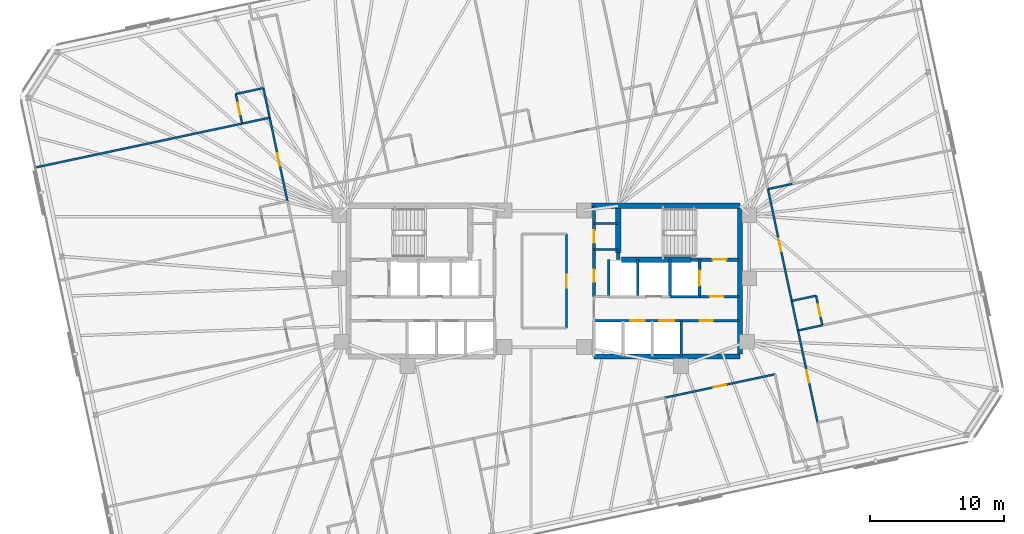
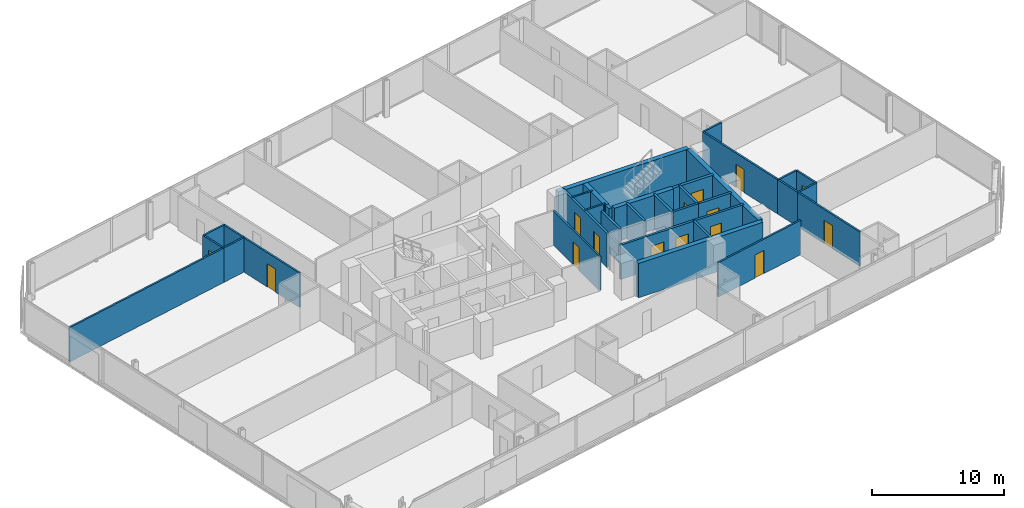
# One storey, part 16 of 19: 33 walls, 15 doors, 15 openings.
"""IFC4 building model written with IfcOpenShell, lengths in metres."""

from ifc_helpers import new_model, si_unit, direction, frame, frame_2d, origin, place, context, subcontext, project, spatial, rectangle, extrude, material, layer, layer_set, type_object, element, fill, save


model = new_model("IFC4")

# Units and contexts
model_context = context("Model", 3, precision=1e-05, world=origin(), true_north=direction((0.0, 1.0)))
body_context = subcontext(model_context, "Body", "Model", "MODEL_VIEW")
ifc_project = project(units=[si_unit("LENGTHUNIT", "METRE"), si_unit("AREAUNIT", "SQUARE_METRE"), si_unit("VOLUMEUNIT", "CUBIC_METRE"), si_unit("PLANEANGLEUNIT", "RADIAN"), si_unit("MASSUNIT", "GRAM", prefix="KILO")], contexts=[model_context])

# Site, building, storey
site_placement = place(None, origin())
site = spatial("IfcSite", under=ifc_project, at=site_placement, CompositionType="ELEMENT")
building_placement = place(site_placement, origin())
building = spatial("IfcBuilding", under=site, at=building_placement, Name="Menara Jurai Vektor", CompositionType="ELEMENT")
storey_placement = place(building_placement, frame((0.0, 0.0, 182.0)))
storey = spatial("IfcBuildingStorey", under=building, at=storey_placement, Name="L47", CompositionType="ELEMENT", Elevation=182.0)

# Wall, opening, door
ifc_material_1 = material(Name="Concrete C40/50", Category="concrete")
ifc_layer_1 = layer(ifc_material_1, 0.25)
ifc_layer_set_1 = layer_set([ifc_layer_1], Name="Concrete C40/50")
wall_type_1 = type_object("IfcWallType", Name="INT-WALL-CORE-250", PredefinedType="STANDARD", material=ifc_layer_set_1)
wall_1_placement = place(storey_placement, frame((10.89990234375, 1.60009765625, 0.0), z_axis=(0.0, 0.0, 1.0), x_axis=(1.0, 0.0, 0.0)))
wall_1 = element("IfcWall", 1, at=wall_1_placement, inside=storey, type_object=wall_type_1, Name="Interior Wall IW-250 L47", PredefinedType="STANDARD", context=body_context, shape_type="SweptSolid", body=[
    extrude(rectangle(XDim=3.60009765625, YDim=0.25, at=frame_2d((1.800048828125, 0.0))), origin(), (0.0, 0.0, 1.0), 3.175048828125),
])
opening_1_placement = place(wall_1_placement, frame((1.6201171875, 0.0, 0.0)))
opening_1 = element("IfcOpeningElement", 2, at=opening_1_placement, cuts=wall_1, Name="Opening D-L47-ST2", PredefinedType="OPENING", context=body_context, shape_type="SweptSolid", body=[
    extrude(rectangle(XDim=1.050048828125, YDim=2.14990234375, at=frame_2d((0.52490234375, 1.074951171875))), frame((0.0, 0.135009765625, 0.0), z_axis=(0.0, -1.0, 0.0), x_axis=(1.0, 0.0, 0.0)), (0.0, 0.0, 1.0), 0.27001953125),
])
ifc_material_2 = material(Name="Fire-Rated Steel Door", Category="steel")
door_type_1 = type_object("IfcDoorType", Name="DR-STAIR-1050", OperationType="NOTDEFINED", PredefinedType="DOOR", material=ifc_material_2)
door_1_placement = place(opening_1_placement, origin())
door_1 = element("IfcDoor", 3, at=door_1_placement, inside=storey, type_object=door_type_1, Name="Exit Stair ST2 Door L47", OperationType="SINGLE_SWING_LEFT", OverallHeight=2.14990234375, OverallWidth=1.050048828125, PredefinedType="DOOR", context=body_context, shape_type="SweptSolid", body=[
    extrude(rectangle(XDim=1.050048828125, YDim=2.14990234375, at=frame_2d((0.52490234375, 1.074951171875))), frame((0.0, 0.02490234375, 0.0), z_axis=(0.0, -1.0, 0.0), x_axis=(1.0, 0.0, 0.0)), (0.0, 0.0, 1.0), 0.050048828125),
])
fill(opening_1, door_1)

# Wall
wall_2_placement = place(storey_placement, frame((5.5, 1.60009765625, 0.0), z_axis=(0.0, 0.0, 1.0), x_axis=(0.0, 1.0, 0.0)))
element("IfcWall", 4, at=wall_2_placement, inside=storey, type_object=wall_type_1, Name="Interior Wall IW-250 L47", PredefinedType="STANDARD", context=body_context, shape_type="SweptSolid", body=[
    extrude(rectangle(XDim=0.5498046875, YDim=0.25, at=frame_2d((0.27490234375, 0.0))), origin(), (0.0, 0.0, 1.0), 3.175048828125),
])

# Wall, opening, door
wall_3_placement = place(storey_placement, frame((11.550048828125, -1.14990234375, 0.0), z_axis=(0.0, 0.0, 1.0), x_axis=(0.0, 1.0, 0.0)))
wall_3 = element("IfcWall", 5, at=wall_3_placement, inside=storey, type_object=wall_type_1, Name="Interior Wall IW-250 L47", PredefinedType="STANDARD", context=body_context, shape_type="SweptSolid", body=[
    extrude(rectangle(XDim=2.75, YDim=0.199951171875, at=frame_2d((1.375, 0.0))), origin(), (0.0, 0.0, 1.0), 3.175048828125),
])
opening_2_placement = place(wall_3_placement, frame((0.824951171875, 0.0, 0.0)))
opening_2 = element("IfcOpeningElement", 6, at=opening_2_placement, cuts=wall_3, Name="Opening LD-L47-FL2", PredefinedType="OPENING", context=body_context, shape_type="SweptSolid", body=[
    extrude(rectangle(XDim=1.10009765625, YDim=2.14990234375, at=frame_2d((0.550048828125, 1.074951171875))), frame((0.0, 0.10986328125, 0.0), z_axis=(0.0, -1.0, 0.0), x_axis=(1.0, 0.0, 0.0)), (0.0, 0.0, 1.0), 0.219970703125),
])
ifc_material_3 = material(Name="Stainless Steel Sliding Lift Landing Door", Category="steel")
door_type_2 = type_object("IfcDoorType", Name="DR-LIFT-FIRE-1100", OperationType="NOTDEFINED", PredefinedType="DOOR", material=ifc_material_3)
door_2_placement = place(opening_2_placement, origin())
door_2 = element("IfcDoor", 7, at=door_2_placement, inside=storey, type_object=door_type_2, Name="Lift Landing Door FL2 L47", OperationType="SLIDING_TO_RIGHT", OverallHeight=2.14990234375, OverallWidth=1.10009765625, PredefinedType="DOOR", context=body_context, shape_type="SweptSolid", body=[
    extrude(rectangle(XDim=1.10009765625, YDim=2.14990234375, at=frame_2d((0.550048828125, 1.074951171875))), frame((0.0, 0.02490234375, 0.0), z_axis=(0.0, -1.0, 0.0), x_axis=(1.0, 0.0, 0.0)), (0.0, 0.0, 1.0), 0.050048828125),
])
fill(opening_2, door_2)

# Wall
wall_4_placement = place(storey_placement, frame((9.35009765625, -1.14990234375, 0.0), z_axis=(0.0, 0.0, 1.0), x_axis=(0.0, 1.0, 0.0)))
element("IfcWall", 8, at=wall_4_placement, inside=storey, type_object=wall_type_1, Name="Interior Wall IW-250 L47", PredefinedType="STANDARD", context=body_context, shape_type="SweptSolid", body=[
    extrude(rectangle(XDim=2.75, YDim=0.199951171875, at=frame_2d((1.375, 0.0))), origin(), (0.0, 0.0, 1.0), 3.175048828125),
])

# Wall, opening, door
wall_5_placement = place(storey_placement, frame((11.550048828125, -1.14990234375, 0.0), z_axis=(0.0, 0.0, 1.0), x_axis=(1.0, 0.0, 0.0)))
wall_5 = element("IfcWall", 9, at=wall_5_placement, inside=storey, type_object=wall_type_1, Name="Interior Wall IW-250 L47", PredefinedType="STANDARD", context=body_context, shape_type="SweptSolid", body=[
    extrude(rectangle(XDim=2.949951171875, YDim=0.199951171875, at=frame_2d((1.47509765625, 0.0))), origin(), (0.0, 0.0, 1.0), 3.175048828125),
])
opening_3_placement = place(wall_5_placement, frame((0.75, 0.0, 0.0)))
opening_3 = element("IfcOpeningElement", 10, at=opening_3_placement, cuts=wall_5, Name="Opening D-L47-FFE", PredefinedType="OPENING", context=body_context, shape_type="SweptSolid", body=[
    extrude(rectangle(XDim=1.050048828125, YDim=2.179931640625, at=frame_2d((0.52490234375, 1.08984375))), frame((0.0, 0.10986328125, 0.0), z_axis=(0.0, -1.0, 0.0), x_axis=(1.0, 0.0, 0.0)), (0.0, 0.0, 1.0), 0.219970703125),
])
ifc_material_4 = material(Name="Fire-Rated Timber Door", Category="wood")
door_type_3 = type_object("IfcDoorType", Name="DR-LOBBY-1050", OperationType="NOTDEFINED", PredefinedType="DOOR", material=ifc_material_4)
door_3_placement = place(opening_3_placement, origin())
door_3 = element("IfcDoor", 11, at=door_3_placement, inside=storey, type_object=door_type_3, Name="Fire Lift Lobby Door E L47", OperationType="SINGLE_SWING_LEFT", OverallHeight=2.179931640625, OverallWidth=1.050048828125, PredefinedType="DOOR", context=body_context, shape_type="SweptSolid", body=[
    extrude(rectangle(XDim=1.050048828125, YDim=2.179931640625, at=frame_2d((0.52490234375, 1.08984375))), frame((0.0, 0.02490234375, 0.0), z_axis=(0.0, -1.0, 0.0), x_axis=(1.0, 0.0, 0.0)), (0.0, 0.0, 1.0), 0.050048828125),
])
fill(opening_3, door_3)

# Walls
wall_6_placement = place(storey_placement, frame((9.35009765625, -1.14990234375, 0.0), z_axis=(0.0, 0.0, 1.0), x_axis=(1.0, 0.0, 0.0)))
element("IfcWall", 12, at=wall_6_placement, inside=storey, type_object=wall_type_1, Name="Interior Wall IW-250 L47", PredefinedType="STANDARD", context=body_context, shape_type="SweptSolid", body=[
    extrude(rectangle(XDim=2.199951171875, YDim=0.199951171875, at=frame_2d((1.10009765625, 0.0))), origin(), (0.0, 0.0, 1.0), 3.175048828125),
])
ifc_material_5 = material(Name="Gypsum Fireboard Partition", Category="gypsum")
ifc_layer_2 = layer(ifc_material_5, 0.14990234375)
ifc_layer_set_2 = layer_set([ifc_layer_2], Name="Gypsum Fireboard Partition")
wall_type_2 = type_object("IfcWallType", Name="INT-WALL-CORR-150", PredefinedType="PARTITIONING", material=ifc_layer_set_2)
for number, where, z_axis, x_axis, name in (
    (13, (3.699951171875, 4.300048828125, 0.0), (0.0, 0.0, 1.0), (1.0, 0.0, 0.0), "Interior Wall IW-150 L47"),
    (14, (3.699951171875, 2.35009765625, 0.0), (0.0, 0.0, 1.0), (1.0, 0.0, 0.0), "Interior Wall IW-150 L47"),
):
    element("IfcWall", number, at=place(storey_placement, frame(where, z_axis=z_axis, x_axis=x_axis)), inside=storey, type_object=wall_type_2, Name=name, PredefinedType="PARTITIONING", context=body_context, shape_type="SweptSolid", body=[
        extrude(rectangle(XDim=1.800048828125, YDim=0.14990234375, at=frame_2d((0.89990234375, 0.0))), origin(), (0.0, 0.0, 1.0), 3.175048828125),
    ])

# Wall, opening, door
wall_7_placement = place(storey_placement, frame((1.650390625, -3.490234375, 0.0), z_axis=(0.0, 0.0, 1.0), x_axis=(-6.9952083e-05, 0.999999997553, 0.0)))
wall_7 = element("IfcWall", 15, at=wall_7_placement, inside=storey, type_object=wall_type_2, Name="Interior Wall IW-150 L47", PredefinedType="PARTITIONING", context=body_context, shape_type="SweptSolid", body=[
    extrude(rectangle(XDim=6.980224609375, YDim=0.14990234375, at=frame_2d((3.490234375, 0.0))), origin(), (0.0, 0.0, 1.0), 3.175048828125),
])
opening_4_placement = place(wall_7_placement, frame((3.01513671875, 0.0, 0.0)))
opening_4 = element("IfcOpeningElement", 16, at=opening_4_placement, cuts=wall_7, Name="Opening D47-06", PredefinedType="OPENING", context=body_context, shape_type="SweptSolid", body=[
    extrude(rectangle(XDim=0.949951171875, YDim=2.14990234375, at=frame_2d((0.47509765625, 1.074951171875))), frame((0.0, 0.0849609375, 0.0), z_axis=(0.0, -1.0, 0.0), x_axis=(1.0, 0.0, 0.0)), (0.0, 0.0, 1.0), 0.169921875),
])
ifc_material_6 = material(Name="Solid Core Timber Fire Door", Category="wood")
door_type_4 = type_object("IfcDoorType", Name="DR-ENTRY-950", OperationType="NOTDEFINED", PredefinedType="DOOR", material=ifc_material_6)
door_4_placement = place(opening_4_placement, origin())
door_4 = element("IfcDoor", 17, at=door_4_placement, inside=storey, type_object=door_type_4, Name="Interior Door D47-06", OperationType="SINGLE_SWING_LEFT", OverallHeight=2.14990234375, OverallWidth=0.949951171875, PredefinedType="DOOR", context=body_context, shape_type="SweptSolid", body=[
    extrude(rectangle(XDim=0.949951171875, YDim=2.14990234375, at=frame_2d((0.47509765625, 1.074951171875))), frame((0.0, 0.02490234375, 0.0), z_axis=(0.0, -1.0, 0.0), x_axis=(1.0, 0.0, 0.0)), (0.0, 0.0, 1.0), 0.050048828125),
])
fill(opening_4, door_4)

wall_8_placement = place(storey_placement, frame((8.963623046875, -8.66796875, 0.0), z_axis=(0.0, 0.0, 1.0), x_axis=(0.978149300771, 0.20790369261, 0.0)))
wall_8 = element("IfcWall", 18, at=wall_8_placement, inside=storey, type_object=wall_type_2, Name="Interior Wall IW-150 L47", PredefinedType="PARTITIONING", context=body_context, shape_type="SweptSolid", body=[
    extrude(rectangle(XDim=8.382080078125, YDim=0.14990234375, at=frame_2d((4.19091796875, 0.0))), origin(), (0.0, 0.0, 1.0), 3.175048828125),
])
opening_5_placement = place(wall_8_placement, frame((3.73095703125, 0.0, 0.0)))
opening_5 = element("IfcOpeningElement", 19, at=opening_5_placement, cuts=wall_8, Name="Opening D47-17", PredefinedType="OPENING", context=body_context, shape_type="SweptSolid", body=[
    extrude(rectangle(XDim=0.919921875, YDim=2.14990234375, at=frame_2d((0.4599609375, 1.074951171875))), frame((0.0, 0.0849609375, 0.0), z_axis=(0.0, -1.0, 0.0), x_axis=(1.0, 0.0, 0.0)), (0.0, 0.0, 1.0), 0.169921875),
])
door_5_placement = place(opening_5_placement, origin())
door_5 = element("IfcDoor", 20, at=door_5_placement, inside=storey, type_object=door_type_4, Name="Interior Door D47-17", OperationType="SINGLE_SWING_RIGHT", OverallHeight=2.14990234375, OverallWidth=0.919921875, PredefinedType="DOOR", context=body_context, shape_type="SweptSolid", body=[
    extrude(rectangle(XDim=0.919921875, YDim=2.14990234375, at=frame_2d((0.4599609375, 1.074951171875))), frame((0.0, 0.02490234375, 0.0), z_axis=(0.0, -1.0, 0.0), x_axis=(1.0, 0.0, 0.0)), (0.0, 0.0, 1.0), 0.050048828125),
])
fill(opening_5, door_5)

wall_9_placement = place(storey_placement, frame((-19.10107421875, 5.9462890625, 0.0), z_axis=(0.0, 0.0, 1.0), x_axis=(-0.207916691923, 0.978146537703, 0.0)))
wall_9 = element("IfcWall", 21, at=wall_9_placement, inside=storey, type_object=wall_type_2, Name="Interior Wall IW-150 L47", PredefinedType="PARTITIONING", context=body_context, shape_type="SweptSolid", body=[
    extrude(rectangle(XDim=6.35009765625, YDim=0.14990234375, at=frame_2d((3.175048828125, 0.0))), origin(), (0.0, 0.0, 1.0), 3.175048828125),
])
opening_6_placement = place(wall_9_placement, frame((2.699951171875, 0.0, 0.0)))
opening_6 = element("IfcOpeningElement", 22, at=opening_6_placement, cuts=wall_9, Name="Opening D47-25", PredefinedType="OPENING", context=body_context, shape_type="SweptSolid", body=[
    extrude(rectangle(XDim=0.949951171875, YDim=2.14990234375, at=frame_2d((0.47509765625, 1.074951171875))), frame((0.0, 0.0849609375, 0.0), z_axis=(0.0, -1.0, 0.0), x_axis=(1.0, 0.0, 0.0)), (0.0, 0.0, 1.0), 0.169921875),
])
door_6_placement = place(opening_6_placement, origin())
door_6 = element("IfcDoor", 23, at=door_6_placement, inside=storey, type_object=door_type_4, Name="Interior Door D47-25", OperationType="SINGLE_SWING_RIGHT", OverallHeight=2.14990234375, OverallWidth=0.949951171875, PredefinedType="DOOR", context=body_context, shape_type="SweptSolid", body=[
    extrude(rectangle(XDim=0.949951171875, YDim=2.14990234375, at=frame_2d((0.47509765625, 1.074951171875))), frame((0.0, 0.02490234375, 0.0), z_axis=(0.0, -1.0, 0.0), x_axis=(1.0, 0.0, 0.0)), (0.0, 0.0, 1.0), 0.050048828125),
])
fill(opening_6, door_6)

# Wall
wall_10_placement = place(storey_placement, frame((-20.42138671875, 12.15771484375, 0.0), z_axis=(0.0, 0.0, 1.0), x_axis=(-0.207913264065, 0.978147266328, 0.0)))
element("IfcWall", 24, at=wall_10_placement, inside=storey, type_object=wall_type_2, Name="Interior Wall IW-150 L47", PredefinedType="PARTITIONING", context=body_context, shape_type="SweptSolid", body=[
    extrude(rectangle(XDim=2.249755859375, YDim=0.14990234375, at=frame_2d((1.125, 0.0))), origin(), (0.0, 0.0, 1.0), 3.175048828125),
])

# Wall, opening, door
wall_11_placement = place(storey_placement, frame((20.328125, -10.515380859375, 0.0), z_axis=(0.0, 0.0, 1.0), x_axis=(-0.207906726269, 0.978148655968, 0.0)))
wall_11 = element("IfcWall", 25, at=wall_11_placement, inside=storey, type_object=wall_type_2, Name="Interior Wall IW-150 L47", PredefinedType="PARTITIONING", context=body_context, shape_type="SweptSolid", body=[
    extrude(rectangle(XDim=7.0, YDim=0.14990234375, at=frame_2d((3.5, 0.0))), origin(), (0.0, 0.0, 1.0), 3.175048828125),
])
opening_7_placement = place(wall_11_placement, frame((3.02490234375, 0.0, 0.0)))
opening_7 = element("IfcOpeningElement", 26, at=opening_7_placement, cuts=wall_11, Name="Opening D47-29", PredefinedType="OPENING", context=body_context, shape_type="SweptSolid", body=[
    extrude(rectangle(XDim=0.949951171875, YDim=2.14990234375, at=frame_2d((0.47509765625, 1.074951171875))), frame((0.0, 0.0849609375, 0.0), z_axis=(0.0, -1.0, 0.0), x_axis=(1.0, 0.0, 0.0)), (0.0, 0.0, 1.0), 0.169921875),
])
door_7_placement = place(opening_7_placement, origin())
door_7 = element("IfcDoor", 27, at=door_7_placement, inside=storey, type_object=door_type_4, Name="Interior Door D47-29", OperationType="SINGLE_SWING_RIGHT", OverallHeight=2.14990234375, OverallWidth=0.949951171875, PredefinedType="DOOR", context=body_context, shape_type="SweptSolid", body=[
    extrude(rectangle(XDim=0.949951171875, YDim=2.14990234375, at=frame_2d((0.47509765625, 1.074951171875))), frame((0.0, 0.02490234375, 0.0), z_axis=(0.0, -1.0, 0.0), x_axis=(1.0, 0.0, 0.0)), (0.0, 0.0, 1.0), 0.050048828125),
])
fill(opening_7, door_7)

wall_12_placement = place(storey_placement, frame((18.40478515625, -1.4677734375, 0.0), z_axis=(0.0, 0.0, 1.0), x_axis=(-0.207888984761, 0.97815242678, 0.0)))
wall_12 = element("IfcWall", 28, at=wall_12_placement, inside=storey, type_object=wall_type_2, Name="Interior Wall IW-150 L47", PredefinedType="PARTITIONING", context=body_context, shape_type="SweptSolid", body=[
    extrude(rectangle(XDim=8.500244140625, YDim=0.14990234375, at=frame_2d((4.25, 0.0))), origin(), (0.0, 0.0, 1.0), 3.175048828125),
])
opening_8_placement = place(wall_12_placement, frame((3.77490234375, 0.0, 0.0)))
opening_8 = element("IfcOpeningElement", 29, at=opening_8_placement, cuts=wall_12, Name="Opening D47-31", PredefinedType="OPENING", context=body_context, shape_type="SweptSolid", body=[
    extrude(rectangle(XDim=0.949951171875, YDim=2.14990234375, at=frame_2d((0.47509765625, 1.074951171875))), frame((0.0, 0.0849609375, 0.0), z_axis=(0.0, -1.0, 0.0), x_axis=(1.0, 0.0, 0.0)), (0.0, 0.0, 1.0), 0.169921875),
])
door_8_placement = place(opening_8_placement, origin())
door_8 = element("IfcDoor", 30, at=door_8_placement, inside=storey, type_object=door_type_4, Name="Interior Door D47-31", OperationType="SINGLE_SWING_RIGHT", OverallHeight=2.14990234375, OverallWidth=0.949951171875, PredefinedType="DOOR", context=body_context, shape_type="SweptSolid", body=[
    extrude(rectangle(XDim=0.949951171875, YDim=2.14990234375, at=frame_2d((0.47509765625, 1.074951171875))), frame((0.0, 0.02490234375, 0.0), z_axis=(0.0, -1.0, 0.0), x_axis=(1.0, 0.0, 0.0)), (0.0, 0.0, 1.0), 0.050048828125),
])
fill(opening_8, door_8)

# Walls
wall_13_placement = place(storey_placement, frame((18.872802734375, -3.66845703125, 0.0), z_axis=(0.0, 0.0, 1.0), x_axis=(-0.208017083936, 0.9781251928, 0.0)))
element("IfcWall", 31, at=wall_13_placement, inside=storey, type_object=wall_type_2, Name="Interior Wall IW-150 L47", PredefinedType="PARTITIONING", context=body_context, shape_type="SweptSolid", body=[
    extrude(rectangle(XDim=2.25, YDim=0.14990234375, at=frame_2d((1.125, 0.0))), origin(), (0.0, 0.0, 1.0), 3.175048828125),
])
wall_14_placement = place(storey_placement, frame((-37.85009765625, 8.453125, 0.0), z_axis=(0.0, 0.0, 1.0), x_axis=(0.978149296727, 0.207903711638, 0.0)))
element("IfcWall", 32, at=wall_14_placement, inside=storey, type_object=wall_type_2, Name="Interior Wall IW-150 L47", PredefinedType="PARTITIONING", context=body_context, shape_type="SweptSolid", body=[
    extrude(rectangle(XDim=15.718017578125, YDim=0.14990234375, at=frame_2d((7.85888671875, 0.0))), origin(), (0.0, 0.0, 1.0), 3.175048828125),
])
wall_15_placement = place(storey_placement, frame((-22.4755859375, 11.720947265625, 0.0), z_axis=(0.0, 0.0, 1.0), x_axis=(0.978134617382, 0.207972763311, 0.0)))
element("IfcWall", 33, at=wall_15_placement, inside=storey, type_object=wall_type_2, Name="Interior Wall IW-150 L47", PredefinedType="PARTITIONING", context=body_context, shape_type="SweptSolid", body=[
    extrude(rectangle(XDim=2.10009765625, YDim=0.14990234375, at=frame_2d((1.050048828125, 0.0))), origin(), (0.0, 0.0, 1.0), 3.175048828125),
])

# Wall, opening, door
wall_16_placement = place(storey_placement, frame((-22.4755859375, 11.720947265625, 0.0), z_axis=(0.0, 0.0, 1.0), x_axis=(-0.207891197838, 0.978151956427, 0.0)))
wall_16 = element("IfcWall", 34, at=wall_16_placement, inside=storey, type_object=wall_type_2, Name="Interior Wall IW-150 L47", PredefinedType="PARTITIONING", context=body_context, shape_type="SweptSolid", body=[
    extrude(rectangle(XDim=2.25, YDim=0.14990234375, at=frame_2d((1.125, 0.0))), origin(), (0.0, 0.0, 1.0), 3.175048828125),
])
opening_9_placement = place(wall_16_placement, frame((0.68505859375, 0.0, 0.0)))
opening_9 = element("IfcOpeningElement", 35, at=opening_9_placement, cuts=wall_16, Name="Opening D47-28", PredefinedType="OPENING", context=body_context, shape_type="SweptSolid", body=[
    extrude(rectangle(XDim=0.8798828125, YDim=2.14990234375, at=frame_2d((0.43994140625, 1.074951171875))), frame((0.0, 0.0849609375, 0.0), z_axis=(0.0, -1.0, 0.0), x_axis=(1.0, 0.0, 0.0)), (0.0, 0.0, 1.0), 0.169921875),
])
ifc_material_7 = material(Name="Moisture-Resistant Timber Door", Category="wood")
door_type_5 = type_object("IfcDoorType", Name="DR-BATH-880", OperationType="NOTDEFINED", PredefinedType="DOOR", material=ifc_material_7)
door_9_placement = place(opening_9_placement, origin())
door_9 = element("IfcDoor", 36, at=door_9_placement, inside=storey, type_object=door_type_5, Name="Interior Door D47-28", OperationType="SINGLE_SWING_LEFT", OverallHeight=2.14990234375, OverallWidth=0.8798828125, PredefinedType="DOOR", context=body_context, shape_type="SweptSolid", body=[
    extrude(rectangle(XDim=0.8798828125, YDim=2.14990234375, at=frame_2d((0.43994140625, 1.074951171875))), frame((0.0, 0.02490234375, 0.0), z_axis=(0.0, -1.0, 0.0), x_axis=(1.0, 0.0, 0.0)), (0.0, 0.0, 1.0), 0.050048828125),
])
fill(opening_9, door_9)

# Walls
wall_17_placement = place(storey_placement, frame((-22.943359375, 13.921875, 0.0), z_axis=(0.0, 0.0, 1.0), x_axis=(0.97815826, 0.207861536591, 0.0)))
element("IfcWall", 37, at=wall_17_placement, inside=storey, type_object=wall_type_2, Name="Interior Wall IW-150 L47", PredefinedType="PARTITIONING", context=body_context, shape_type="SweptSolid", body=[
    extrude(rectangle(XDim=2.10009765625, YDim=0.14990234375, at=frame_2d((1.050048828125, 0.0))), origin(), (0.0, 0.0, 1.0), 3.175048828125),
])
wall_18_placement = place(storey_placement, frame((18.872802734375, -3.66845703125, 0.0), z_axis=(0.0, 0.0, 1.0), x_axis=(0.978160192495, 0.207852442415, 0.0)))
element("IfcWall", 38, at=wall_18_placement, inside=storey, type_object=wall_type_2, Name="Interior Wall IW-150 L47", PredefinedType="PARTITIONING", context=body_context, shape_type="SweptSolid", body=[
    extrude(rectangle(XDim=1.849853515625, YDim=0.14990234375, at=frame_2d((0.9248046875, 0.0))), origin(), (0.0, 0.0, 1.0), 3.175048828125),
])
wall_19_placement = place(storey_placement, frame((18.40478515625, -1.4677734375, 0.0), z_axis=(0.0, 0.0, 1.0), x_axis=(0.978139061018, 0.207951862966, 0.0)))
element("IfcWall", 39, at=wall_19_placement, inside=storey, type_object=wall_type_2, Name="Interior Wall IW-150 L47", PredefinedType="PARTITIONING", context=body_context, shape_type="SweptSolid", body=[
    extrude(rectangle(XDim=1.850341796875, YDim=0.14990234375, at=frame_2d((0.92529296875, 0.0))), origin(), (0.0, 0.0, 1.0), 3.175048828125),
])

# Wall, opening, door
wall_20_placement = place(storey_placement, frame((20.682373046875, -3.283935546875, 0.0), z_axis=(0.0, 0.0, 1.0), x_axis=(-0.207891197838, 0.978151956427, 0.0)))
wall_20 = element("IfcWall", 40, at=wall_20_placement, inside=storey, type_object=wall_type_2, Name="Interior Wall IW-150 L47", PredefinedType="PARTITIONING", context=body_context, shape_type="SweptSolid", body=[
    extrude(rectangle(XDim=2.25, YDim=0.14990234375, at=frame_2d((1.125, 0.0))), origin(), (0.0, 0.0, 1.0), 3.175048828125),
])
opening_10_placement = place(wall_20_placement, frame((0.68505859375, 0.0, 0.0)))
opening_10 = element("IfcOpeningElement", 41, at=opening_10_placement, cuts=wall_20, Name="Opening D47-32", PredefinedType="OPENING", context=body_context, shape_type="SweptSolid", body=[
    extrude(rectangle(XDim=0.8798828125, YDim=2.14990234375, at=frame_2d((0.43994140625, 1.074951171875))), frame((0.0, 0.0849609375, 0.0), z_axis=(0.0, -1.0, 0.0), x_axis=(1.0, 0.0, 0.0)), (0.0, 0.0, 1.0), 0.169921875),
])
door_10_placement = place(opening_10_placement, origin())
door_10 = element("IfcDoor", 42, at=door_10_placement, inside=storey, type_object=door_type_5, Name="Interior Door D47-32", OperationType="SINGLE_SWING_LEFT", OverallHeight=2.14990234375, OverallWidth=0.8798828125, PredefinedType="DOOR", context=body_context, shape_type="SweptSolid", body=[
    extrude(rectangle(XDim=0.8798828125, YDim=2.14990234375, at=frame_2d((0.43994140625, 1.074951171875))), frame((0.0, 0.02490234375, 0.0), z_axis=(0.0, -1.0, 0.0), x_axis=(1.0, 0.0, 0.0)), (0.0, 0.0, 1.0), 0.050048828125),
])
fill(opening_10, door_10)

# Wall
wall_21_placement = place(storey_placement, frame((16.6376953125, 6.8466796875, 0.0), z_axis=(0.0, 0.0, 1.0), x_axis=(0.978160192495, 0.207852442415, 0.0)))
element("IfcWall", 43, at=wall_21_placement, inside=storey, type_object=wall_type_2, Name="Interior Wall IW-150 L47", PredefinedType="PARTITIONING", context=body_context, shape_type="SweptSolid", body=[
    extrude(rectangle(XDim=1.849853515625, YDim=0.14990234375, at=frame_2d((0.9248046875, 0.0))), origin(), (0.0, 0.0, 1.0), 3.175048828125),
])

# Wall, openings, doors
ifc_layer_3 = layer(ifc_material_1, 0.199951171875)
ifc_layer_set_3 = layer_set([ifc_layer_3], Name="Concrete C40/50")
wall_type_3 = type_object("IfcWallType", Name="INT-WALL-SHAFT-200", PredefinedType="STANDARD", material=ifc_layer_set_3)
wall_22_placement = place(storey_placement, frame((3.699951171875, -1.14990234375, 0.0), z_axis=(0.0, 0.0, 1.0), x_axis=(0.0, 1.0, 0.0)))
wall_22 = element("IfcWall", 44, at=wall_22_placement, inside=storey, type_object=wall_type_3, Name="Interior Wall IW-200 L47", PredefinedType="STANDARD", context=body_context, shape_type="SweptSolid", body=[
    extrude(rectangle(XDim=6.75, YDim=0.199951171875, at=frame_2d((3.375, 0.0))), origin(), (0.0, 0.0, 1.0), 3.175048828125),
])
opening_11_placement = place(wall_22_placement, frame((1.10009765625, 0.0, 0.0)))
opening_11 = element("IfcOpeningElement", 45, at=opening_11_placement, cuts=wall_22, Name="Opening D47-04", PredefinedType="OPENING", context=body_context, shape_type="SweptSolid", body=[
    extrude(rectangle(XDim=0.89990234375, YDim=2.14990234375, at=frame_2d((0.449951171875, 1.074951171875))), frame((0.0, 0.10986328125, 0.0), z_axis=(0.0, -1.0, 0.0), x_axis=(1.0, 0.0, 0.0)), (0.0, 0.0, 1.0), 0.219970703125),
])
opening_12_placement = place(wall_22_placement, frame((4.0, 0.0, 0.0)))
opening_12 = element("IfcOpeningElement", 46, at=opening_12_placement, cuts=wall_22, Name="Opening D47-05", PredefinedType="OPENING", context=body_context, shape_type="SweptSolid", body=[
    extrude(rectangle(XDim=0.919921875, YDim=2.14990234375, at=frame_2d((0.4599609375, 1.074951171875))), frame((0.0, 0.10986328125, 0.0), z_axis=(0.0, -1.0, 0.0), x_axis=(1.0, 0.0, 0.0)), (0.0, 0.0, 1.0), 0.219970703125),
])
door_11_placement = place(opening_11_placement, origin())
door_11 = element("IfcDoor", 47, at=door_11_placement, inside=storey, type_object=door_type_4, Name="Interior Door D47-04", OperationType="SINGLE_SWING_RIGHT", OverallHeight=2.14990234375, OverallWidth=0.89990234375, PredefinedType="DOOR", context=body_context, shape_type="SweptSolid", body=[
    extrude(rectangle(XDim=0.89990234375, YDim=2.14990234375, at=frame_2d((0.449951171875, 1.074951171875))), frame((0.0, 0.02490234375, 0.0), z_axis=(0.0, -1.0, 0.0), x_axis=(1.0, 0.0, 0.0)), (0.0, 0.0, 1.0), 0.050048828125),
])
fill(opening_11, door_11)
door_12_placement = place(opening_12_placement, origin())
door_12 = element("IfcDoor", 48, at=door_12_placement, inside=storey, type_object=door_type_4, Name="Interior Door D47-05", OperationType="SINGLE_SWING_RIGHT", OverallHeight=2.14990234375, OverallWidth=0.919921875, PredefinedType="DOOR", context=body_context, shape_type="SweptSolid", body=[
    extrude(rectangle(XDim=0.919921875, YDim=2.14990234375, at=frame_2d((0.4599609375, 1.074951171875))), frame((0.0, 0.02490234375, 0.0), z_axis=(0.0, -1.0, 0.0), x_axis=(1.0, 0.0, 0.0)), (0.0, 0.0, 1.0), 0.050048828125),
])
fill(opening_12, door_12)

# Walls
for number, where, z_axis, x_axis, name in (
    (49, (6.949951171875, -1.14990234375, 0.0), (0.0, 0.0, 1.0), (0.0, 1.0, 0.0), "Interior Wall IW-200 L47"),
    (50, (4.7900390625, -1.14990234375, 0.0), (0.0, 0.0, 1.0), (0.0, 1.0, 0.0), "Interior Wall IW-200 L47"),
):
    element("IfcWall", number, at=place(storey_placement, frame(where, z_axis=z_axis, x_axis=x_axis)), inside=storey, type_object=wall_type_3, Name=name, PredefinedType="STANDARD", context=body_context, shape_type="SweptSolid", body=[
        extrude(rectangle(XDim=2.75, YDim=0.199951171875, at=frame_2d((1.375, 0.0))), origin(), (0.0, 0.0, 1.0), 3.175048828125),
    ])

# Wall, openings, doors
wall_23_placement = place(storey_placement, frame((3.699951171875, -2.949951171875, 0.0), z_axis=(0.0, 0.0, 1.0), x_axis=(1.0, 0.0, 0.0)))
wall_23 = element("IfcWall", 51, at=wall_23_placement, inside=storey, type_object=wall_type_3, Name="Interior Wall IW-200 L47", PredefinedType="STANDARD", context=body_context, shape_type="SweptSolid", body=[
    extrude(rectangle(XDim=10.800048828125, YDim=0.199951171875, at=frame_2d((5.39990234375, 0.0))), origin(), (0.0, 0.0, 1.0), 3.175048828125),
])
opening_13_placement = place(wall_23_placement, frame((2.68994140625, 0.0, 0.0)))
opening_13 = element("IfcOpeningElement", 52, at=opening_13_placement, cuts=wall_23, Name="Opening LD-L47-PM3", PredefinedType="OPENING", context=body_context, shape_type="SweptSolid", body=[
    extrude(rectangle(XDim=1.10009765625, YDim=2.14990234375, at=frame_2d((0.550048828125, 1.074951171875))), frame((0.0, 0.10986328125, 0.0), z_axis=(0.0, -1.0, 0.0), x_axis=(1.0, 0.0, 0.0)), (0.0, 0.0, 1.0), 0.219970703125),
])
opening_14_placement = place(wall_23_placement, frame((4.85009765625, 0.0, 0.0)))
opening_14 = element("IfcOpeningElement", 53, at=opening_14_placement, cuts=wall_23, Name="Opening LD-L47-PM4", PredefinedType="OPENING", context=body_context, shape_type="SweptSolid", body=[
    extrude(rectangle(XDim=1.10009765625, YDim=2.14990234375, at=frame_2d((0.550048828125, 1.074951171875))), frame((0.0, 0.10986328125, 0.0), z_axis=(0.0, -1.0, 0.0), x_axis=(1.0, 0.0, 0.0)), (0.0, 0.0, 1.0), 0.219970703125),
])
opening_15_placement = place(wall_23_placement, frame((7.8798828125, 0.0, 0.0)))
opening_15 = element("IfcOpeningElement", 54, at=opening_15_placement, cuts=wall_23, Name="Opening D47-03", PredefinedType="OPENING", context=body_context, shape_type="SweptSolid", body=[
    extrude(rectangle(XDim=0.949951171875, YDim=2.14990234375, at=frame_2d((0.47509765625, 1.074951171875))), frame((0.0, 0.10986328125, 0.0), z_axis=(0.0, -1.0, 0.0), x_axis=(1.0, 0.0, 0.0)), (0.0, 0.0, 1.0), 0.219970703125),
])
door_13_placement = place(opening_15_placement, origin())
door_13 = element("IfcDoor", 55, at=door_13_placement, inside=storey, type_object=door_type_4, Name="Interior Door D47-03", OperationType="SINGLE_SWING_LEFT", OverallHeight=2.14990234375, OverallWidth=0.949951171875, PredefinedType="DOOR", context=body_context, shape_type="SweptSolid", body=[
    extrude(rectangle(XDim=0.949951171875, YDim=2.14990234375, at=frame_2d((0.47509765625, 1.074951171875))), frame((0.0, 0.02490234375, 0.0), z_axis=(0.0, -1.0, 0.0), x_axis=(1.0, 0.0, 0.0)), (0.0, 0.0, 1.0), 0.050048828125),
])
fill(opening_15, door_13)
ifc_material_8 = material(Name="Anodised Stainless Sliding Lift Landing Door", Category="steel")
door_type_6 = type_object("IfcDoorType", Name="DR-LIFT-PASS-1100", OperationType="NOTDEFINED", PredefinedType="DOOR", material=ifc_material_8)
door_14_placement = place(opening_13_placement, origin())
door_14 = element("IfcDoor", 56, at=door_14_placement, inside=storey, type_object=door_type_6, Name="Lift Landing Door PM3 L47", OperationType="SLIDING_TO_LEFT", OverallHeight=2.14990234375, OverallWidth=1.10009765625, PredefinedType="DOOR", context=body_context, shape_type="SweptSolid", body=[
    extrude(rectangle(XDim=1.10009765625, YDim=2.14990234375, at=frame_2d((0.550048828125, 1.074951171875))), frame((0.0, 0.02490234375, 0.0), z_axis=(0.0, -1.0, 0.0), x_axis=(1.0, 0.0, 0.0)), (0.0, 0.0, 1.0), 0.050048828125),
])
fill(opening_13, door_14)
door_15_placement = place(opening_14_placement, origin())
door_15 = element("IfcDoor", 57, at=door_15_placement, inside=storey, type_object=door_type_6, Name="Lift Landing Door PM4 L47", OperationType="SLIDING_TO_RIGHT", OverallHeight=2.14990234375, OverallWidth=1.10009765625, PredefinedType="DOOR", context=body_context, shape_type="SweptSolid", body=[
    extrude(rectangle(XDim=1.10009765625, YDim=2.14990234375, at=frame_2d((0.550048828125, 1.074951171875))), frame((0.0, 0.02490234375, 0.0), z_axis=(0.0, -1.0, 0.0), x_axis=(1.0, 0.0, 0.0)), (0.0, 0.0, 1.0), 0.050048828125),
])
fill(opening_14, door_15)

# Walls
wall_24_placement = place(storey_placement, frame((10.179931640625, -5.60009765625, 0.0), z_axis=(0.0, 0.0, 1.0), x_axis=(0.0, 1.0, 0.0)))
element("IfcWall", 58, at=wall_24_placement, inside=storey, type_object=wall_type_3, Name="Interior Wall IW-200 L47", PredefinedType="STANDARD", context=body_context, shape_type="SweptSolid", body=[
    extrude(rectangle(XDim=2.650146484375, YDim=0.179931640625, at=frame_2d((1.3251953125, 0.0))), origin(), (0.0, 0.0, 1.0), 3.175048828125),
])
ifc_material_9 = material(Name="Concrete C50/60", Category="concrete")
ifc_layer_4 = layer(ifc_material_9, 0.39990234375)
ifc_layer_set_4 = layer_set([ifc_layer_4], Name="Concrete C50/60")
wall_type_4 = type_object("IfcWallType", Name="STR-WALL-CORE400", PredefinedType="SHEAR", material=ifc_layer_set_4)
wall_25_placement = place(storey_placement, frame((3.14990234375, 5.60009765625, 0.0), z_axis=(0.0, 0.0, 1.0), x_axis=(1.0, 0.0, 0.0)))
element("IfcWall", 59, at=wall_25_placement, inside=storey, type_object=wall_type_4, Name="Core Shear Wall CW-E-N L47", PredefinedType="SHEAR", context=body_context, shape_type="SweptSolid", body=[
    extrude(rectangle(XDim=11.41015625, YDim=0.39990234375, at=frame_2d((5.705078125, 0.0))), origin(), (0.0, 0.0, 1.0), 3.175048828125),
])
wall_26_placement = place(storey_placement, frame((3.699951171875, -5.60009765625, 0.0), z_axis=(0.0, 0.0, 1.0), x_axis=(1.0, 0.0, 0.0)))
element("IfcWall", 60, at=wall_26_placement, inside=storey, type_object=wall_type_4, Name="Core Shear Wall CW-E-S L47", PredefinedType="SHEAR", context=body_context, shape_type="SweptSolid", body=[
    extrude(rectangle(XDim=10.860107421875, YDim=0.39990234375, at=frame_2d((5.43017578125, 0.0))), origin(), (0.0, 0.0, 1.0), 3.175048828125),
])
wall_27_placement = place(storey_placement, frame((14.56005859375, -5.39990234375, 0.0), z_axis=(0.0, 0.0, 1.0), x_axis=(0.0, 1.0, 0.0)))
element("IfcWall", 61, at=wall_27_placement, inside=storey, type_object=wall_type_4, Name="Core Shear Wall CW-E-E L47", PredefinedType="SHEAR", context=body_context, shape_type="SweptSolid", body=[
    extrude(rectangle(XDim=10.7998046875, YDim=0.39990234375, at=frame_2d((5.39990234375, 0.0))), origin(), (0.0, 0.0, 1.0), 3.175048828125),
])
wall_28_placement = place(storey_placement, frame((5.5, 2.14990234375, 0.0), z_axis=(0.0, 0.0, 1.0), x_axis=(0.0, 1.0, 0.0)))
element("IfcWall", 62, at=wall_28_placement, inside=storey, type_object=wall_type_4, Name="Core Shear Wall CW-E-ST L47", PredefinedType="SHEAR", context=body_context, shape_type="SweptSolid", body=[
    extrude(rectangle(XDim=3.25, YDim=0.39990234375, at=frame_2d((1.625, 0.0))), origin(), (0.0, 0.0, 1.0), 3.175048828125),
])
wall_29_placement = place(storey_placement, frame((5.75, 1.60009765625, 0.0), z_axis=(0.0, 0.0, 1.0), x_axis=(1.0, 0.0, 0.0)))
element("IfcWall", 63, at=wall_29_placement, inside=storey, type_object=wall_type_4, Name="Core Shear Wall CW-E-STS L47", PredefinedType="SHEAR", context=body_context, shape_type="SweptSolid", body=[
    extrude(rectangle(XDim=5.14990234375, YDim=0.39990234375, at=frame_2d((2.574951171875, 0.0))), origin(), (0.0, 0.0, 1.0), 3.175048828125),
])

save(model, "model.ifc")
